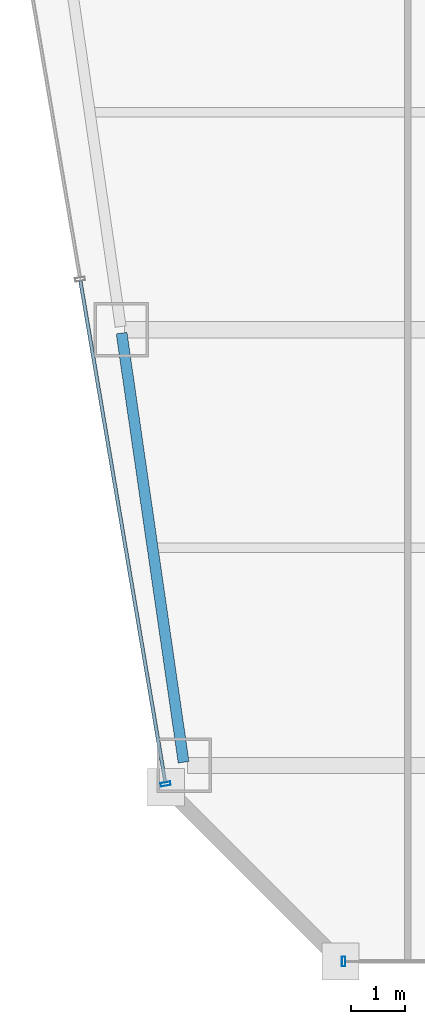
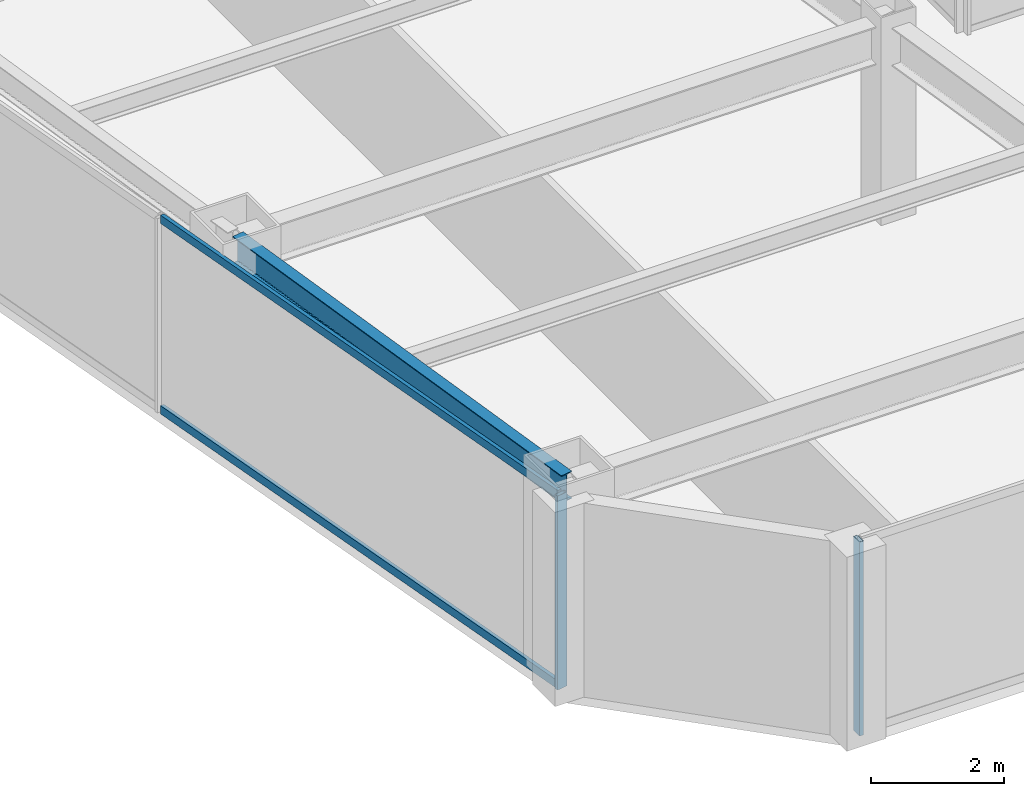
# One storey, part 2 of 35: 4 members, 1 beam, 2 elements without a shape of their own.
"""IFC4 building model written with IfcOpenShell, lengths in metres."""

from ifc_helpers import new_model, si_unit, direction, frame, origin, origin_2d, place, context, subcontext, project, spatial, hollow_rectangle, i_section, extrude, material, material_profile, profile_set, type_object, element, aggregate, save


model = new_model("IFC4")

# Units and contexts
model_context = context("Model", 3, precision=1e-05, world=origin(), true_north=direction((0.0, 1.0)))
body_context = subcontext(model_context, "Body", "Model", "MODEL_VIEW")
ifc_project = project(units=[si_unit("LENGTHUNIT", "METRE"), si_unit("AREAUNIT", "SQUARE_METRE"), si_unit("VOLUMEUNIT", "CUBIC_METRE"), si_unit("PLANEANGLEUNIT", "RADIAN"), si_unit("MASSUNIT", "GRAM", prefix="KILO")], contexts=[model_context])

# Site, building, storey
site_placement = place(None, origin())
site = spatial("IfcSite", under=ifc_project, at=site_placement, CompositionType="ELEMENT")
building_placement = place(site_placement, origin())
building = spatial("IfcBuilding", under=site, at=building_placement, Name="Saevonmaru Cultural Tower", CompositionType="ELEMENT")
storey_placement = place(building_placement, frame((0.0, 0.0, 175.199951171875)))
storey = spatial("IfcBuildingStorey", under=building, at=storey_placement, Name="L39", CompositionType="ELEMENT", Elevation=175.199951171875)

# Beam
ifc_material_1 = material(Name="Steel SM355", Category="steel")
ifc_material_profile_1 = material_profile(ifc_material_1, i_section(OverallWidth=0.199951171875, OverallDepth=0.5, WebThickness=0.010009765625, FlangeThickness=0.01611328125, FilletRadius=0.02001953125, at=origin_2d()), Name="H-500x200x10x16")
ifc_profile_set_1 = profile_set([ifc_material_profile_1], Name="Steel SM355")
beam_type = type_object("IfcBeamType", Name="BM-SP-H500", PredefinedType="SPANDREL", material=ifc_profile_set_1)
beam_placement = place(storey_placement, frame((10.619384765625, 16.059326171875, 3.300048828125), z_axis=(-0.142992129437, 0.989723825579, 0.0), x_axis=(-0.989723825579, -0.142992129437, 0.0)))
element("IfcBeam", 1, at=beam_placement, inside=storey, type_object=beam_type, Name="L39 West Splayed Spandrel 1", PredefinedType="SPANDREL", context=body_context, shape_type="SweptSolid", body=[
    extrude(i_section(OverallWidth=0.199951171875, OverallDepth=0.5, WebThickness=0.010009765625, FlangeThickness=0.01611328125, FilletRadius=0.02001953125, at=origin_2d()), origin(), (0.0, 0.0, 1.0), 7.963134765625),
])

# Curtain wall, member
ifc_material_2 = material(Name="Satin Bronze Anodised Aluminium", Category="aluminium")
curtain_wall_type = type_object("IfcCurtainWallType", Name="CW-TYP-B", PredefinedType="NOTDEFINED", material=ifc_material_2)
curtain_wall_1_placement = place(storey_placement, origin())
curtain_wall_1 = element("IfcCurtainWall", 2, at=curtain_wall_1_placement, inside=storey, type_object=curtain_wall_type, Name="L39 Unitised Curtain Wall E2", PredefinedType="NOTDEFINED")
ifc_material_profile_2 = material_profile(ifc_material_2, hollow_rectangle(XDim=0.06494140625, YDim=0.179931640625, WallThickness=0.00390625, at=origin_2d()), Name="ALU-MULL-180x65x4")
ifc_profile_set_2 = profile_set([ifc_material_profile_2], Name="Satin Bronze Anodised Aluminium")
member_type_1 = type_object("IfcMemberType", Name="ML-CW-180x65", PredefinedType="MULLION", material=ifc_profile_set_2)
member_1_placement = place(storey_placement, frame((13.557861328125, 12.39990234375, 0.0), z_axis=(0.0, 0.0, 1.0), x_axis=(1.0, 0.0, 0.0)))
member_1 = element("IfcMember", 3, at=member_1_placement, type_object=member_type_1, Name="CW-TW-L39-E2 mullion 1", PredefinedType="MULLION", context=body_context, shape_type="SweptSolid", body=[
    extrude(hollow_rectangle(XDim=0.06494140625, YDim=0.179931640625, WallThickness=0.00390625, at=origin_2d()), origin(), (0.0, 0.0, 1.0), 3.550048828125),
])
aggregate(curtain_wall_1, [member_1])

# Curtain wall, members
curtain_wall_2_placement = place(storey_placement, origin())
curtain_wall_2 = element("IfcCurtainWall", 4, at=curtain_wall_2_placement, inside=storey, type_object=curtain_wall_type, Name="L39 Unitised Curtain Wall E12", PredefinedType="NOTDEFINED")
member_2_placement = place(storey_placement, frame((10.287841796875, 15.6591796875, 0.0), z_axis=(0.0, 0.0, 1.0), x_axis=(0.16692169721, -0.985970155228, 0.0)))
member_2 = element("IfcMember", 5, at=member_2_placement, type_object=member_type_1, Name="CW-TW-L39-E12 mullion 5", PredefinedType="MULLION", context=body_context, shape_type="SweptSolid", body=[
    extrude(hollow_rectangle(XDim=0.06494140625, YDim=0.179931640625, WallThickness=0.00390625, at=origin_2d()), origin(), (0.0, 0.0, 1.0), 3.550048828125),
])
ifc_material_profile_3 = material_profile(ifc_material_2, hollow_rectangle(XDim=0.06494140625, YDim=0.14990234375, WallThickness=0.00390625, at=origin_2d()), Name="ALU-TRAN-150x65x4")
ifc_profile_set_3 = profile_set([ifc_material_profile_3], Name="Satin Bronze Anodised Aluminium")
member_type_2 = type_object("IfcMemberType", Name="TR-CW-150x65", PredefinedType="USERDEFINED", material=ifc_profile_set_3)
member_3_placement = place(storey_placement, frame((8.723876953125, 24.8974609375, 0.032470703125), z_axis=(0.166921263871, -0.985970228591, 0.0), x_axis=(0.985970228591, 0.166921263871, 0.0)))
member_3 = element("IfcMember", 6, at=member_3_placement, type_object=member_type_2, Name="CW-TW-L39-E12 transom 4.1", ObjectType="TRANSOM", PredefinedType="USERDEFINED", context=body_context, shape_type="SweptSolid", body=[
    extrude(hollow_rectangle(XDim=0.06494140625, YDim=0.14990234375, WallThickness=0.00390625, at=origin_2d()), origin(), (0.0, 0.0, 1.0), 9.33740234375),
])
member_4_placement = place(storey_placement, frame((8.723876953125, 24.8974609375, 3.517578125), z_axis=(0.166921263871, -0.985970228591, 0.0), x_axis=(0.985970228591, 0.166921263871, 0.0)))
member_4 = element("IfcMember", 7, at=member_4_placement, type_object=member_type_2, Name="CW-TW-L39-E12 transom 4.2", ObjectType="TRANSOM", PredefinedType="USERDEFINED", context=body_context, shape_type="SweptSolid", body=[
    extrude(hollow_rectangle(XDim=0.06494140625, YDim=0.14990234375, WallThickness=0.00390625, at=origin_2d()), origin(), (0.0, 0.0, 1.0), 9.33740234375),
])
aggregate(curtain_wall_2, [member_2, member_3, member_4])

save(model, "model.ifc")
